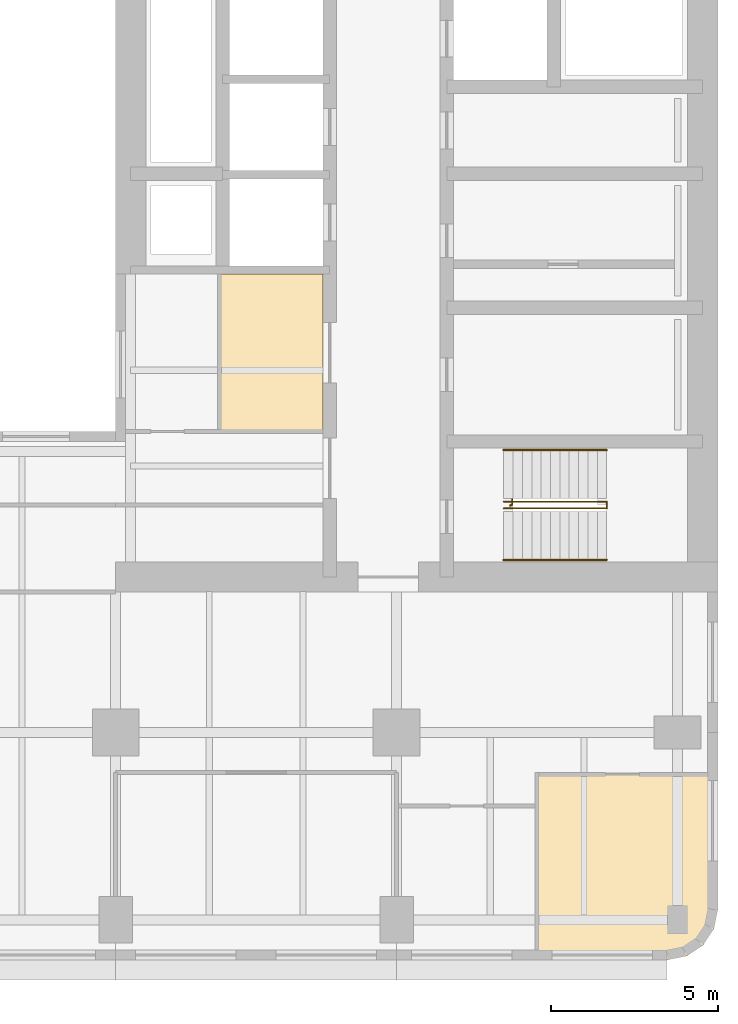
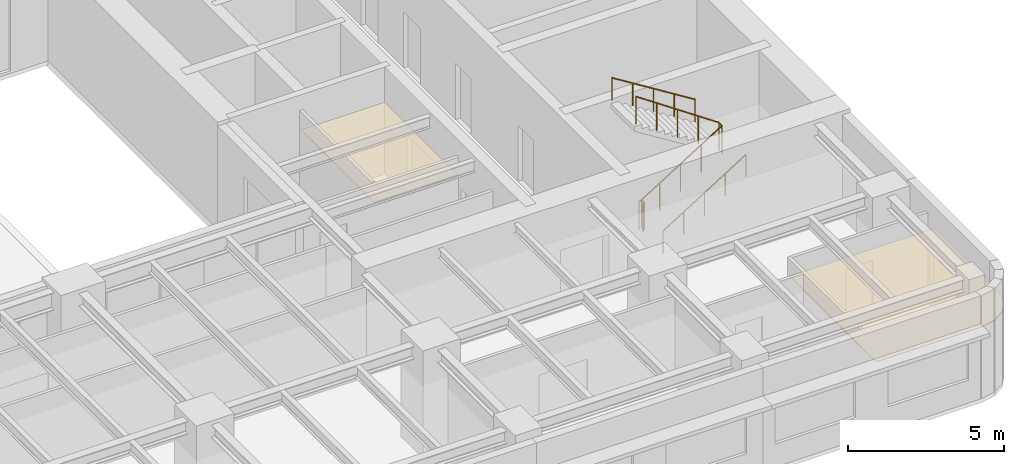
# One storey, part 11 of 14: 4 railings, 2 coverings.
"""IFC4 building model written with IfcOpenShell, lengths in metres."""

from ifc_helpers import new_model, si_unit, direction, frame, origin, origin_2d, place, context, subcontext, project, spatial, polyline, circle, outline, extrude, material, layer, layer_set, type_object, element, save


model = new_model("IFC4")

# Units and contexts
model_context = context("Model", 3, precision=1e-05, world=origin(), true_north=direction((0.0, 1.0)))
body_context = subcontext(model_context, "Body", "Model", "MODEL_VIEW")
ifc_project = project(units=[si_unit("LENGTHUNIT", "METRE"), si_unit("AREAUNIT", "SQUARE_METRE"), si_unit("VOLUMEUNIT", "CUBIC_METRE"), si_unit("PLANEANGLEUNIT", "RADIAN"), si_unit("MASSUNIT", "GRAM", prefix="KILO")], contexts=[model_context])

# Site, building, storey
site_placement = place(None, origin())
site = spatial("IfcSite", under=ifc_project, at=site_placement, CompositionType="ELEMENT")
building_placement = place(site_placement, origin())
building = spatial("IfcBuilding", under=site, at=building_placement, Name="Claustro Exchange Tower", CompositionType="ELEMENT")
storey_placement = place(building_placement, frame((0.0, 0.0, 100.800048828125)))
storey = spatial("IfcBuildingStorey", under=building, at=storey_placement, Name="L22", CompositionType="ELEMENT", Elevation=100.800048828125)

# Coverings
ifc_material_1 = material(Name="Gypsum board ceiling", Category="gypsum board")
ifc_layer = layer(ifc_material_1, 0.02490234375)
ifc_layer_set = layer_set([ifc_layer], Name="Gypsum board ceiling")
covering_type = type_object("IfcCoveringType", Name="CL2 plasterboard ceiling", PredefinedType="CEILING", material=ifc_layer_set)
covering_1_placement = place(storey_placement, frame((0.0, 0.0, 2.800048828125)))
element("IfcCovering", 1, at=covering_1_placement, inside=storey, type_object=covering_type, Name="Ceiling CL2 L22-07", PredefinedType="CEILING", context=body_context, shape_type="SweptSolid", body=[
    extrude(outline(polyline([(51.60009765625, 3.10009765625), (51.60009765625, 7.14990234375), (46.199951171875, 7.14990234375), (46.199951171875, 1.60009765625), (50.10009765625, 1.60009765625), (50.674072265625, 1.714111328125), (51.16064453125, 2.039306640625), (51.48583984375, 2.52587890625), (51.60009765625, 3.10009765625)])), origin(), (0.0, 0.0, 1.0), 0.02490234375),
])
covering_2_placement = place(storey_placement, frame((0.0, 0.0, 2.800048828125)))
element("IfcCovering", 2, at=covering_2_placement, inside=storey, type_object=covering_type, Name="Ceiling CL2 L22-13", PredefinedType="CEILING", context=body_context, shape_type="SweptSolid", body=[
    extrude(outline(polyline([(39.800048828125, 17.39990234375), (39.800048828125, 22.10009765625), (36.699951171875, 22.10009765625), (36.699951171875, 17.39990234375), (39.800048828125, 17.39990234375)])), origin(), (0.0, 0.0, 1.0), 0.02490234375),
])

# Railings
ifc_material_2 = material(Name="Steel balustrade, painted", Category="steel")
railing_type_1 = type_object("IfcRailingType", Name="GR2 1100 steel stair guard", PredefinedType="GUARDRAIL", material=ifc_material_2)
railing_1_placement = place(storey_placement, frame((45.199951171875, 15.10009765625, 0.175048828125)))
element("IfcRailing", 3, at=railing_1_placement, inside=storey, type_object=railing_type_1, Name="Stair well guard GR2 stair STEA L22", PredefinedType="GUARDRAIL", context=body_context, shape_type="SweptSolid", body=[
    extrude(circle(Radius=0.02392578125, at=origin_2d()), frame((0.0, 0.0, 1.076171875), z_axis=(0.848028513186, 0.0, 0.529950602248), x_axis=(0.0, 1.0, 0.0)), (0.0, 0.0, 1.0), 3.632080078125),
    extrude(circle(Radius=0.02392578125, at=origin_2d()), frame((3.080078125, 0.0, 3.0009765625), z_axis=(0.0, 1.0, 0.0), x_axis=(-1.0, 0.0, 0.0)), (0.0, 0.0, 1.0), 0.199951171875),
    extrude(circle(Radius=0.02392578125, at=origin_2d()), frame((3.080078125, 0.199951171875, 3.0009765625), z_axis=(-0.826221800596, 0.0, 0.563344953133), x_axis=(0.0, -1.0, 0.0)), (0.0, 0.0, 1.0), 3.72802734375),
    extrude(circle(Radius=0.02099609375, at=origin_2d()), origin(), (0.0, 0.0, 1.0), 1.052001953125),
    extrude(circle(Radius=0.02099609375, at=origin_2d()), frame((0.77001953125, 0.0, 0.481201171875)), (0.0, 0.0, 1.0), 1.052001953125),
    extrude(circle(Radius=0.02099609375, at=origin_2d()), frame((1.5400390625, 0.0, 0.96240234375)), (0.0, 0.0, 1.0), 1.052001953125),
    extrude(circle(Radius=0.02099609375, at=origin_2d()), frame((2.31005859375, 0.0, 1.443603515625)), (0.0, 0.0, 1.0), 1.052001953125),
    extrude(circle(Radius=0.02099609375, at=origin_2d()), frame((3.080078125, 0.0, 1.9248046875)), (0.0, 0.0, 1.0), 1.052001953125),
    extrude(circle(Radius=0.02099609375, at=origin_2d()), frame((3.080078125, 0.199951171875, 1.9248046875)), (0.0, 0.0, 1.0), 1.052001953125),
    extrude(circle(Radius=0.02099609375, at=origin_2d()), frame((2.31005859375, 0.199951171875, 2.44970703125)), (0.0, 0.0, 1.0), 1.052001953125),
    extrude(circle(Radius=0.02099609375, at=origin_2d()), frame((1.5400390625, 0.199951171875, 2.974853515625)), (0.0, 0.0, 1.0), 1.052001953125),
    extrude(circle(Radius=0.02099609375, at=origin_2d()), frame((0.77001953125, 0.199951171875, 3.5)), (0.0, 0.0, 1.0), 1.052001953125),
    extrude(circle(Radius=0.02099609375, at=origin_2d()), frame((0.0, 0.199951171875, 4.02490234375)), (0.0, 0.0, 1.0), 1.052001953125),
])
railing_2_placement = place(storey_placement, frame((45.39990234375, 15.169921875, 0.0)))
element("IfcRailing", 4, at=railing_2_placement, inside=storey, type_object=railing_type_1, Name="Stair guard GR2 STEA L22", PredefinedType="GUARDRAIL", context=body_context, shape_type="SweptSolid", body=[
    extrude(circle(Radius=0.02392578125, at=origin_2d()), frame((0.0, 0.0, 1.076171875), z_axis=(0.0, 1.0, 0.0), x_axis=(-1.0, 0.0, 0.0)), (0.0, 0.0, 1.0), 0.030029296875),
    extrude(circle(Radius=0.02392578125, at=origin_2d()), frame((0.0, 0.030029296875, 1.076171875), z_axis=(1.0, 0.0, 0.0), x_axis=(0.0, 1.0, 0.0)), (0.0, 0.0, 1.0), 0.05517578125),
    extrude(circle(Radius=0.02392578125, at=origin_2d()), frame((0.05517578125, 0.030029296875, 1.076171875), z_axis=(0.0, 1.0, 0.0), x_axis=(-1.0, 0.0, 0.0)), (0.0, 0.0, 1.0), 0.179931640625),
    extrude(circle(Radius=0.02099609375, at=origin_2d()), origin(), (0.0, 0.0, 1.0), 1.052001953125),
    extrude(circle(Radius=0.02099609375, at=origin_2d()), frame((0.0, 0.030029296875, 0.0)), (0.0, 0.0, 1.0), 1.052001953125),
    extrude(circle(Radius=0.02099609375, at=origin_2d()), frame((0.05517578125, 0.030029296875, 0.0)), (0.0, 0.0, 1.0), 1.052001953125),
    extrude(circle(Radius=0.02099609375, at=origin_2d()), frame((0.05517578125, 0.2099609375, 0.0)), (0.0, 0.0, 1.0), 1.052001953125),
])
ifc_material_3 = material(Name="Stainless steel tube", Category="steel")
railing_type_2 = type_object("IfcRailingType", Name="HR1 900 stair handrail", PredefinedType="HANDRAIL", material=ifc_material_3)
railing_3_placement = place(storey_placement, frame((45.199951171875, 13.56005859375, 0.175048828125)))
element("IfcRailing", 5, at=railing_3_placement, inside=storey, type_object=railing_type_2, Name="Handrail HR1 stair STEA L22", PredefinedType="HANDRAIL", context=body_context, shape_type="SweptSolid", body=[
    extrude(circle(Radius=0.02392578125, at=origin_2d()), frame((0.0, 0.0, 0.8759765625), z_axis=(0.848028513186, 0.0, 0.529950602248), x_axis=(0.0, 1.0, 0.0)), (0.0, 0.0, 1.0), 3.632080078125),
    extrude(circle(Radius=0.02099609375, at=origin_2d()), origin(), (0.0, 0.0, 1.0), 0.851806640625),
    extrude(circle(Radius=0.02099609375, at=origin_2d()), frame((0.77001953125, 0.0, 0.481201171875)), (0.0, 0.0, 1.0), 0.851806640625),
    extrude(circle(Radius=0.02099609375, at=origin_2d()), frame((1.5400390625, 0.0, 0.96240234375)), (0.0, 0.0, 1.0), 0.851806640625),
    extrude(circle(Radius=0.02099609375, at=origin_2d()), frame((2.31005859375, 0.0, 1.443603515625)), (0.0, 0.0, 1.0), 0.851806640625),
    extrude(circle(Radius=0.02099609375, at=origin_2d()), frame((3.080078125, 0.0, 1.9248046875)), (0.0, 0.0, 1.0), 0.851806640625),
])
railing_4_placement = place(storey_placement, frame((48.280029296875, 16.840087890625, 2.27490234375)))
element("IfcRailing", 6, at=railing_4_placement, inside=storey, type_object=railing_type_2, Name="Handrail HR1 stair STEA L22", PredefinedType="HANDRAIL", context=body_context, shape_type="SweptSolid", body=[
    extrude(circle(Radius=0.02392578125, at=origin_2d()), frame((0.0, 0.0, 0.8759765625), z_axis=(-0.847998304005, 0.0, 0.529998940003), x_axis=(0.0, -1.0, 0.0)), (0.0, 0.0, 1.0), 3.632080078125),
    extrude(circle(Radius=0.02099609375, at=origin_2d()), origin(), (0.0, 0.0, 1.0), 0.851806640625),
    extrude(circle(Radius=0.02099609375, at=origin_2d()), frame((-0.77001953125, 0.0, 0.481201171875)), (0.0, 0.0, 1.0), 0.851806640625),
    extrude(circle(Radius=0.02099609375, at=origin_2d()), frame((-1.5400390625, 0.0, 0.96240234375)), (0.0, 0.0, 1.0), 0.851806640625),
    extrude(circle(Radius=0.02099609375, at=origin_2d()), frame((-2.31005859375, 0.0, 1.44384765625)), (0.0, 0.0, 1.0), 0.851806640625),
    extrude(circle(Radius=0.02099609375, at=origin_2d()), frame((-3.080078125, 0.0, 1.925048828125)), (0.0, 0.0, 1.0), 0.851806640625),
])

save(model, "model.ifc")
